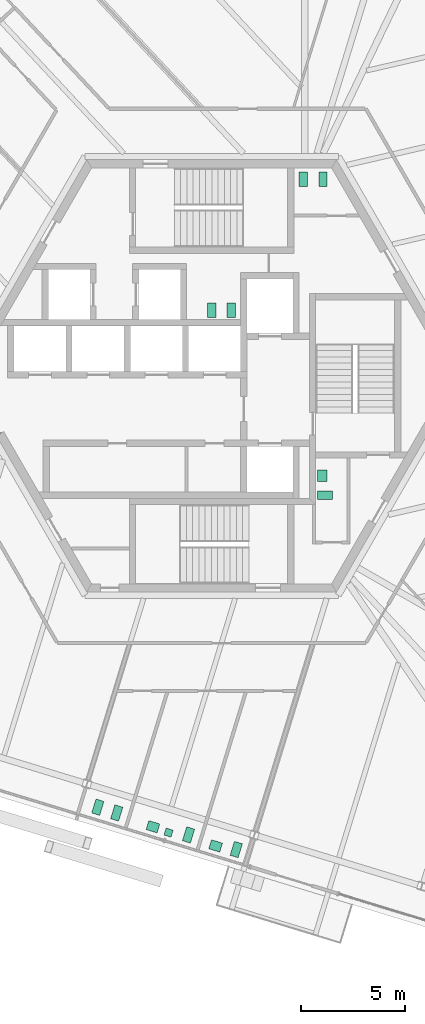
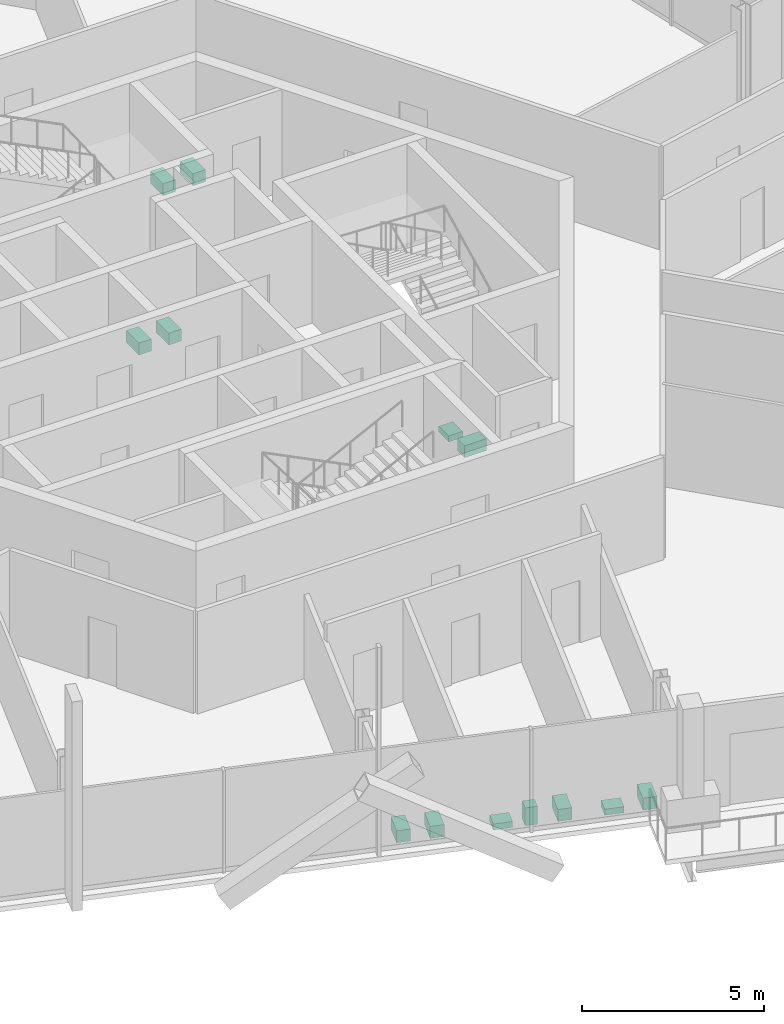
# One storey, part 22 of 24: 13 sanitary terminals.
"""IFC4 building model written with IfcOpenShell, lengths in metres."""

from ifc_helpers import new_model, si_unit, direction, frame, origin, origin_2d, place, context, subcontext, project, spatial, rectangle, extrude, source, transform, mapped, material, element, save


model = new_model("IFC4")

# Units and contexts
model_context = context("Model", 3, precision=1e-05, world=origin(), true_north=direction((0.0, 1.0)))
body_context = subcontext(model_context, "Body", "Model", "MODEL_VIEW")
ifc_project = project(units=[si_unit("LENGTHUNIT", "METRE"), si_unit("AREAUNIT", "SQUARE_METRE"), si_unit("VOLUMEUNIT", "CUBIC_METRE"), si_unit("PLANEANGLEUNIT", "RADIAN"), si_unit("MASSUNIT", "GRAM", prefix="KILO")], contexts=[model_context])

# Site, building, storey
site_placement = place(None, origin())
site = spatial("IfcSite", under=ifc_project, at=site_placement, CompositionType="ELEMENT")
building_placement = place(site_placement, origin())
building = spatial("IfcBuilding", under=site, at=building_placement, Name="Triune Harvest Tower", CompositionType="ELEMENT")
storey_placement = place(building_placement, frame((0.0, 0.0, 112.699951171875)))
storey = spatial("IfcBuildingStorey", under=building, at=storey_placement, Name="L28", CompositionType="ELEMENT", Elevation=112.699951171875)

# Sanitary terminals
ifc_material = material(Name="Vitreous china")
shared_shape_1 = source(origin(), body_context, "Body", "SweptSolid", [
    extrude(rectangle(XDim=0.39990234375, YDim=0.699951171875, at=origin_2d()), origin(), (0.0, 0.0, 1.0), 0.39990234375),
])
for number, where, z_axis, x_axis, name in (
    (1, (4.39990234375, 9.449951171875, 0.0), (0.0, 0.0, 1.0), (1.0, 0.0, 0.0), "Toilet pan L28.c01"),
    (2, (5.35009765625, 9.449951171875, 0.0), (0.0, 0.0, 1.0), (1.0, 0.0, 0.0), "Toilet pan L28.c02"),
    (3, (0.949951171875, 3.159912109375, 0.0), (0.0, 0.0, 1.0), (-1.0, 0.0, 0.0), "Toilet pan L28.c03"),
    (4, (0.0, 3.159912109375, 0.0), (0.0, 0.0, 1.0), (-1.0, 0.0, 0.0), "Toilet pan L28.c04"),
    (5, (5.449951171875, -5.739990234375, 0.0), (0.0, 0.0, 1.0), (0.0, 1.0, 0.0), "Toilet pan L28.c05"),
    (6, (-4.56103515625, -21.0087890625, 0.0), (0.0, 0.0, 1.0), (-0.956309858666, 0.292355014012, 0.0), "Toilet pan 01"),
    (7, (-5.469482421875, -20.73095703125, 0.0), (0.0, 0.0, 1.0), (-0.956309858666, 0.292355014012, 0.0), "Toilet pan 02"),
    (8, (-1.10986328125, -22.063720703125, 0.0), (0.0, 0.0, 1.0), (-0.956309858666, 0.292355014012, 0.0), "Toilet pan 03"),
    (9, (1.185302734375, -22.765380859375, 0.0), (0.0, 0.0, 1.0), (-0.956304755963, 0.292371704723, 0.0), "Toilet pan 06"),
):
    element("IfcSanitaryTerminal", number, at=place(storey_placement, frame(where, z_axis=z_axis, x_axis=x_axis)), inside=storey, material=ifc_material, Name=name, PredefinedType="TOILETPAN", context=body_context, shape_type="MappedRepresentation", body=[
        mapped(shared_shape_1, transform((0.0, 0.0, 0.0), scale=1.0)),
    ])
shared_shape_2 = source(origin(), body_context, "Body", "SweptSolid", [
    extrude(rectangle(XDim=0.35009765625, YDim=0.35009765625, at=origin_2d()), origin(), (0.0, 0.0, 1.0), 0.60009765625),
])
sanitary_terminal_placement = place(storey_placement, frame((-2.069580078125, -21.953369140625, 0.0), z_axis=(0.0, 0.0, 1.0), x_axis=(-0.956309858666, 0.292355014012, 0.0)))
element("IfcSanitaryTerminal", 10, at=sanitary_terminal_placement, inside=storey, material=ifc_material, Name="Urinal 04", PredefinedType="URINAL", context=body_context, shape_type="MappedRepresentation", body=[
    mapped(shared_shape_2, transform((0.0, 0.0, 0.0), scale=1.0)),
])
shared_shape_3 = source(origin(), body_context, "Body", "SweptSolid", [
    extrude(rectangle(XDim=0.550048828125, YDim=0.449951171875, at=origin_2d()), origin(), (0.0, 0.0, 1.0), 0.199951171875),
])
for number, where, z_axis, x_axis, name in (
    (11, (5.324951171875, -4.7900390625, 0.0), (0.0, 0.0, 1.0), (0.0, 1.0, 0.0), "Wash basin L28.c06"),
    (12, (-2.820068359375, -21.671630859375, 0.0), (0.0, 0.0, 1.0), (-0.956309858666, 0.292355014012, 0.0), "Wash basin 05"),
    (13, (0.1923828125, -22.592529296875, 0.0), (0.0, 0.0, 1.0), (-0.956304755963, 0.292371704723, 0.0), "Wash basin 07"),
):
    element("IfcSanitaryTerminal", number, at=place(storey_placement, frame(where, z_axis=z_axis, x_axis=x_axis)), inside=storey, material=ifc_material, Name=name, PredefinedType="WASHHANDBASIN", context=body_context, shape_type="MappedRepresentation", body=[
        mapped(shared_shape_3, transform((0.0, 0.0, 0.0), scale=1.0)),
    ])

save(model, "model.ifc")
